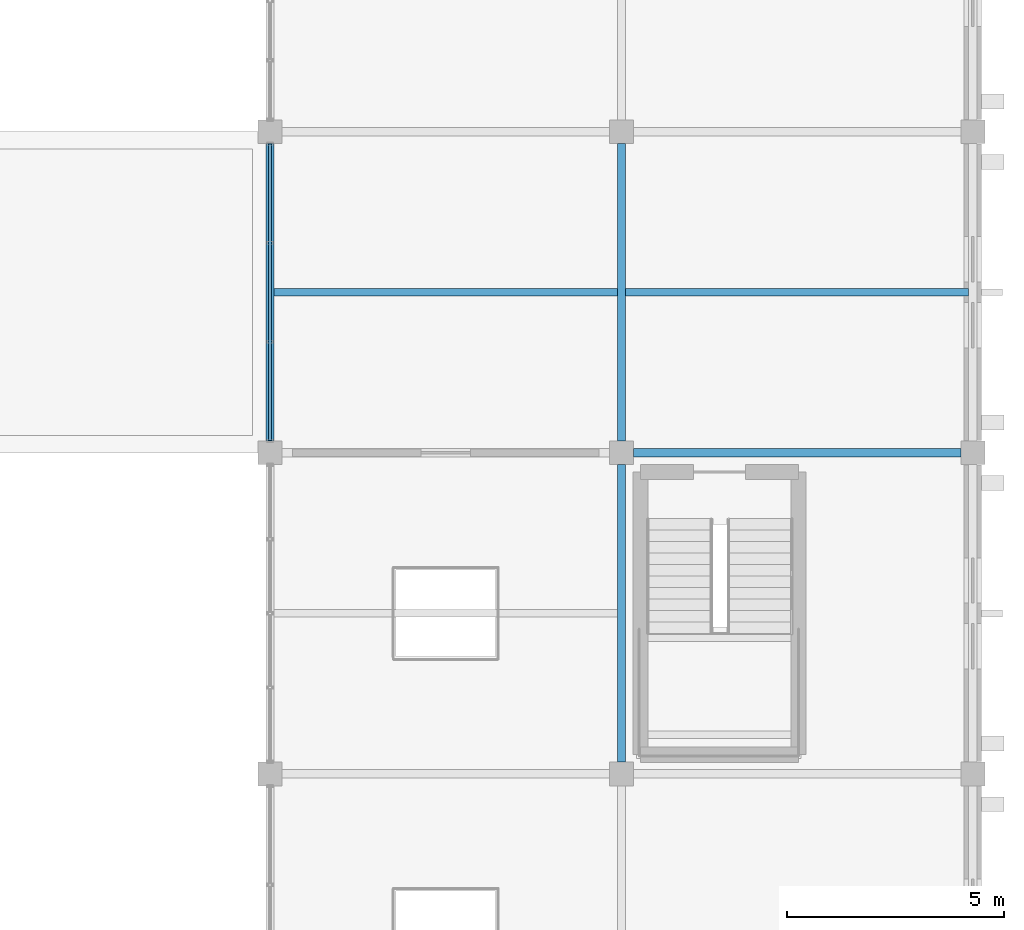
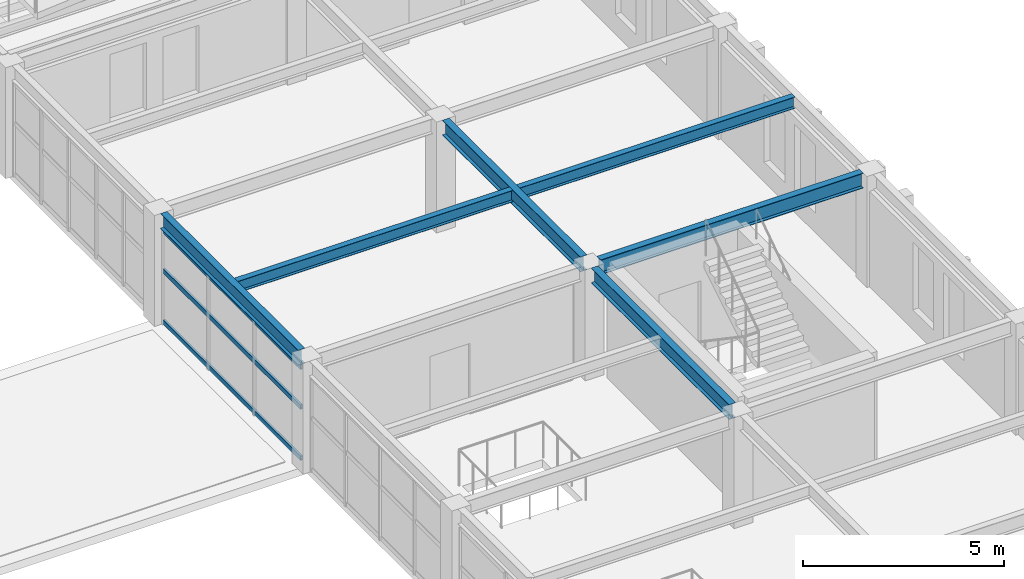
# One storey, part 84 of 121: 6 beams, 3 members, 1 element without a shape of its own.
"""IFC4 building model written with IfcOpenShell, lengths in metres."""

from ifc_helpers import new_model, si_unit, direction, frame, origin, origin_2d, place, context, subcontext, project, spatial, hollow_rectangle, i_section, extrude, material, material_profile, profile_set, type_object, element, aggregate, save


model = new_model("IFC4")

# Units and contexts
model_context = context("Model", 3, precision=1e-05, world=origin(), true_north=direction((0.0, 1.0)))
body_context = subcontext(model_context, "Body", "Model", "MODEL_VIEW")
ifc_project = project(units=[si_unit("LENGTHUNIT", "METRE"), si_unit("AREAUNIT", "SQUARE_METRE"), si_unit("VOLUMEUNIT", "CUBIC_METRE"), si_unit("PLANEANGLEUNIT", "RADIAN"), si_unit("MASSUNIT", "GRAM", prefix="KILO")], contexts=[model_context])

# Site, building, storey
site_placement = place(None, origin())
site = spatial("IfcSite", under=ifc_project, at=site_placement, CompositionType="ELEMENT")
building_placement = place(site_placement, origin())
building = spatial("IfcBuilding", under=site, at=building_placement, Name="Cimatlan Art Gallery", CompositionType="ELEMENT")
storey_placement = place(building_placement, frame((0.0, 0.0, 10.199951171875)))
storey = spatial("IfcBuildingStorey", under=building, at=storey_placement, Name="L02", CompositionType="ELEMENT", Elevation=10.199951171875)

# Beams
ifc_material_1 = material(Name="Steel ASTM A992 Grade 50", Category="steel")
ifc_material_profile_1 = material_profile(ifc_material_1, i_section(OverallWidth=0.1708984375, OverallDepth=0.35107421875, WebThickness=0.0068359375, FlangeThickness=0.009765625, at=origin_2d()), Name="W14X30")
ifc_profile_set_1 = profile_set([ifc_material_profile_1], Name="Steel ASTM A992 Grade 50")
beam_type_1 = type_object("IfcBeamType", Name="BM-STL-W14X30", PredefinedType="JOIST", material=ifc_profile_set_1)
for number, where, z_axis, x_axis, name in (
    (1, (147.8955078125, 57.199951171875, 3.194580078125), (1.0, 0.0, 0.0), (0.0, 1.0, 0.0), "JST-L02-18-07"),
    (2, (155.99560546875, 57.199951171875, 3.194580078125), (1.0, 0.0, 0.0), (0.0, 1.0, 0.0), "JST-L02-19-07"),
):
    element("IfcBeam", number, at=place(storey_placement, frame(where, z_axis=z_axis, x_axis=x_axis)), inside=storey, type_object=beam_type_1, Name=name, PredefinedType="JOIST", context=body_context, shape_type="SweptSolid", body=[
        extrude(i_section(OverallWidth=0.1708984375, OverallDepth=0.35107421875, WebThickness=0.0068359375, FlangeThickness=0.009765625, at=origin_2d()), origin(), (0.0, 0.0, 1.0), 7.908935546875),
    ])
ifc_material_profile_2 = material_profile(ifc_material_1, i_section(OverallWidth=0.19091796875, OverallDepth=0.45703125, WebThickness=0.009033203125, FlangeThickness=0.014404296875, at=origin_2d()), Name="W18X50")
ifc_profile_set_2 = profile_set([ifc_material_profile_2], Name="Steel ASTM A992 Grade 50")
beam_type_2 = type_object("IfcBeamType", Name="BM-STL-W18X50", PredefinedType="BEAM", material=ifc_profile_set_2)
for number, where, z_axis, x_axis, name in (
    (3, (147.800048828125, 53.77490234375, 3.1416015625), (0.0, 1.0, 0.0), (-1.0, 0.0, 0.0), "BM-Y-L02-18-07"),
    (4, (155.89990234375, 46.375, 3.1416015625), (0.0, 1.0, 0.0), (-1.0, 0.0, 0.0), "BM-Y-L02-19-06"),
    (5, (155.89990234375, 53.77490234375, 3.1416015625), (0.0, 1.0, 0.0), (-1.0, 0.0, 0.0), "BM-Y-L02-19-07"),
):
    element("IfcBeam", number, at=place(storey_placement, frame(where, z_axis=z_axis, x_axis=x_axis)), inside=storey, type_object=beam_type_2, Name=name, PredefinedType="BEAM", context=body_context, shape_type="SweptSolid", body=[
        extrude(i_section(OverallWidth=0.19091796875, OverallDepth=0.45703125, WebThickness=0.009033203125, FlangeThickness=0.014404296875, at=origin_2d()), origin(), (0.0, 0.0, 1.0), 6.85009765625),
    ])
beam_placement = place(storey_placement, frame((156.175048828125, 53.5, 3.1416015625), z_axis=(1.0, 0.0, 0.0), x_axis=(0.0, 1.0, 0.0)))
element("IfcBeam", 6, at=beam_placement, inside=storey, type_object=beam_type_2, Name="BM-X-L02-19-07", PredefinedType="BEAM", context=body_context, shape_type="SweptSolid", body=[
    extrude(i_section(OverallWidth=0.19091796875, OverallDepth=0.45703125, WebThickness=0.009033203125, FlangeThickness=0.014404296875, at=origin_2d()), origin(), (0.0, 0.0, 1.0), 7.550048828125),
])

# Curtain wall, members
ifc_material_2 = material(Name="Anodised bronze unitised curtain wall")
curtain_wall_type = type_object("IfcCurtainWallType", Name="CW-V-06842X02883-B3", PredefinedType="NOTDEFINED", material=ifc_material_2)
curtain_wall_placement = place(storey_placement, origin())
curtain_wall = element("IfcCurtainWall", 7, at=curtain_wall_placement, inside=storey, type_object=curtain_wall_type, Name="CW-L02-18-07-W", PredefinedType="NOTDEFINED")
ifc_material_3 = material(Name="Anodised bronze aluminium 6063-T6", Category="aluminium")
ifc_material_profile_3 = material_profile(ifc_material_3, hollow_rectangle(XDim=0.06494140625, YDim=0.139892578125, WallThickness=0.00390625, at=origin_2d()), Name="ALU65X140X4")
ifc_profile_set_3 = profile_set([ifc_material_profile_3], Name="Anodised bronze aluminium 6063-T6")
member_type = type_object("IfcMemberType", Name="CW-TRN-140", PredefinedType="USERDEFINED", material=ifc_profile_set_3)
member_1_placement = place(storey_placement, frame((147.800048828125, 53.779052734375, 0.06005859375), z_axis=(0.0, 1.0, 0.0), x_axis=(-1.0, 0.0, 0.0)))
member_1 = element("IfcMember", 8, at=member_1_placement, type_object=member_type, Name="CW-L02-18-07-W-T1", ObjectType="TRANSOM", PredefinedType="USERDEFINED", context=body_context, shape_type="SweptSolid", body=[
    extrude(hollow_rectangle(XDim=0.06494140625, YDim=0.139892578125, WallThickness=0.00390625, at=origin_2d()), origin(), (0.0, 0.0, 1.0), 6.842041015625),
])
member_2_placement = place(storey_placement, frame((147.800048828125, 53.779052734375, 1.614501953125), z_axis=(0.0, 1.0, 0.0), x_axis=(-1.0, 0.0, 0.0)))
member_2 = element("IfcMember", 9, at=member_2_placement, type_object=member_type, Name="CW-L02-18-07-W-T2", ObjectType="TRANSOM", PredefinedType="USERDEFINED", context=body_context, shape_type="SweptSolid", body=[
    extrude(hollow_rectangle(XDim=0.06494140625, YDim=0.139892578125, WallThickness=0.00390625, at=origin_2d()), origin(), (0.0, 0.0, 1.0), 6.842041015625),
])
member_3_placement = place(storey_placement, frame((147.800048828125, 53.779052734375, 2.822998046875), z_axis=(0.0, 1.0, 0.0), x_axis=(-1.0, 0.0, 0.0)))
member_3 = element("IfcMember", 10, at=member_3_placement, type_object=member_type, Name="CW-L02-18-07-W-T3", ObjectType="TRANSOM", PredefinedType="USERDEFINED", context=body_context, shape_type="SweptSolid", body=[
    extrude(hollow_rectangle(XDim=0.06494140625, YDim=0.139892578125, WallThickness=0.00390625, at=origin_2d()), origin(), (0.0, 0.0, 1.0), 6.842041015625),
])
aggregate(curtain_wall, [member_1, member_2, member_3])

save(model, "model.ifc")
